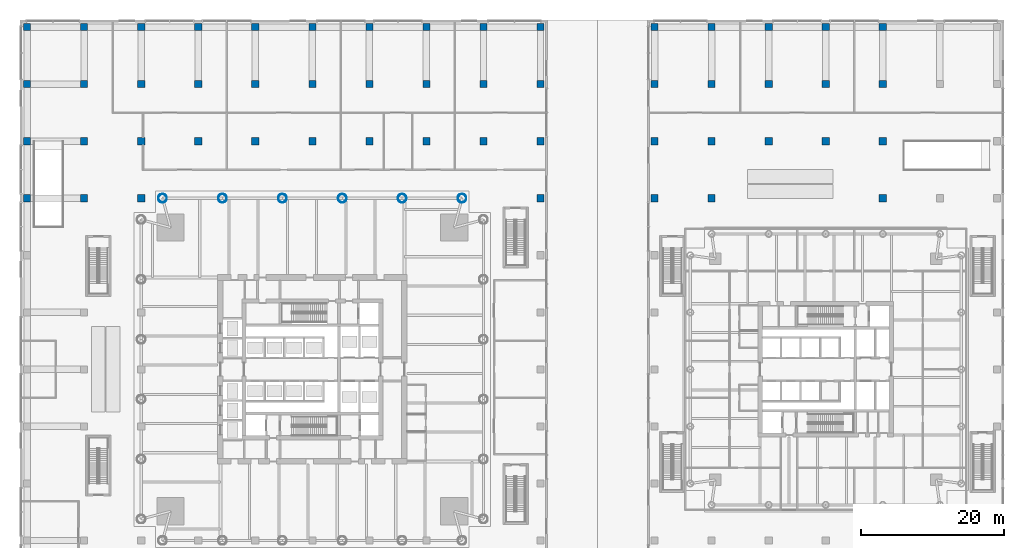
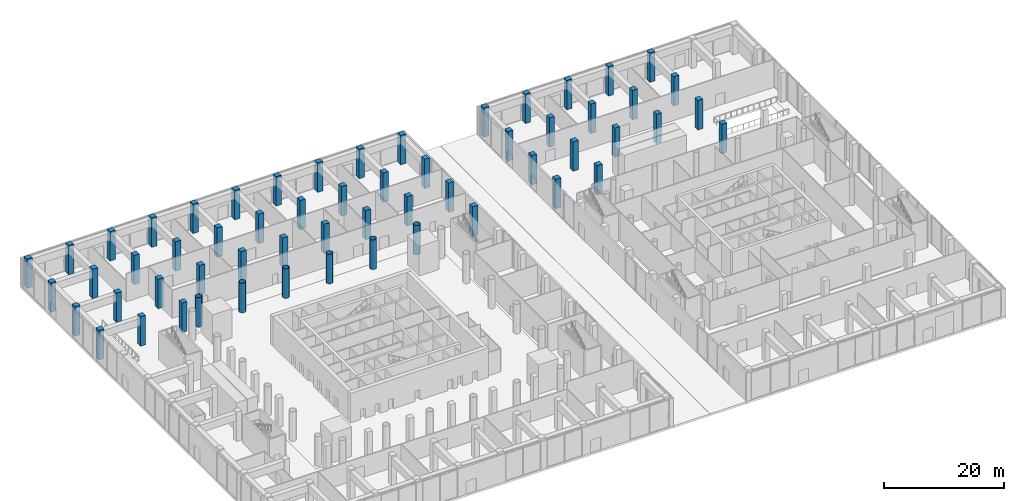
# One storey, part 3 of 39: 58 columns.
"""IFC4 building model written with IfcOpenShell, lengths in metres."""

from ifc_helpers import new_model, si_unit, direction, frame, origin, origin_2d, place, context, subcontext, project, spatial, rectangle, hollow_circle, extrude, material, material_profile, profile_set, type_object, element, save


model = new_model("IFC4")

# Units and contexts
model_context = context("Model", 3, precision=1e-05, world=origin(), true_north=direction((0.0, 1.0)))
body_context = subcontext(model_context, "Body", "Model", "MODEL_VIEW")
ifc_project = project(units=[si_unit("LENGTHUNIT", "METRE"), si_unit("AREAUNIT", "SQUARE_METRE"), si_unit("VOLUMEUNIT", "CUBIC_METRE"), si_unit("PLANEANGLEUNIT", "RADIAN"), si_unit("MASSUNIT", "GRAM", prefix="KILO")], contexts=[model_context])

# Site, building, storey
site_placement = place(None, origin())
site = spatial("IfcSite", under=ifc_project, at=site_placement, CompositionType="ELEMENT")
building_placement = place(site_placement, origin())
building = spatial("IfcBuilding", under=site, at=building_placement, Name="Ostroluk Exchange", CompositionType="ELEMENT")
storey_placement = place(building_placement, origin())
storey = spatial("IfcBuildingStorey", under=building, at=storey_placement, Name="L00", CompositionType="ELEMENT", Elevation=0.0)

# Columns
ifc_material_1 = material(Name="Steel S460", Category="steel")
ifc_material_profile_1 = material_profile(ifc_material_1, hollow_circle(Radius=0.609619140625, WallThickness=0.0400390625, at=origin_2d()), Name="CHS 1219x40")
ifc_profile_set_1 = profile_set([ifc_material_profile_1], Name="Steel S460")
column_type_1 = type_object("IfcColumnType", Name="Perimeter column CHS 1219x40", PredefinedType="COLUMN", material=ifc_profile_set_1)
for number, where, z_axis, x_axis, name in (
    (1, (66.0, 70.0, 0.0), (0.0, 0.0, 1.0), (1.0, 0.0, 0.0), "T1 north face column E0"),
    (2, (24.0, 70.0, 0.0), (0.0, 0.0, 1.0), (1.0, 0.0, 0.0), "T1 north face column E1"),
    (3, (57.60009765625, 70.0, 0.0), (0.0, 0.0, 1.0), (1.0, 0.0, 0.0), "T1 north face column I1"),
    (4, (49.199951171875, 70.0, 0.0), (0.0, 0.0, 1.0), (1.0, 0.0, 0.0), "T1 north face column I2"),
    (5, (40.800048828125, 70.0, 0.0), (0.0, 0.0, 1.0), (1.0, 0.0, 0.0), "T1 north face column I3"),
    (6, (32.39990234375, 70.0, 0.0), (0.0, 0.0, 1.0), (1.0, 0.0, 0.0), "T1 north face column I4"),
):
    element("IfcColumn", number, at=place(storey_placement, frame(where, z_axis=z_axis, x_axis=x_axis)), inside=storey, type_object=column_type_1, Name=name, PredefinedType="COLUMN", context=body_context, shape_type="SweptSolid", body=[
        extrude(hollow_circle(Radius=0.609619140625, WallThickness=0.0400390625, at=origin_2d()), origin(), (0.0, 0.0, 1.0), 6.0),
    ])
ifc_material_2 = material(Name="Concrete C50/60", Category="concrete")
ifc_material_profile_2 = material_profile(ifc_material_2, rectangle(XDim=1.0, YDim=1.0, at=origin_2d()), Name="RC 1000x1000")
ifc_profile_set_2 = profile_set([ifc_material_profile_2], Name="Concrete C50/60")
column_type_2 = type_object("IfcColumnType", Name="Podium column RC 1000x1000", PredefinedType="COLUMN", material=ifc_profile_set_2)
for number, where, z_axis, x_axis, name in (
    (7, (5.0, 70.0, 0.0), (0.0, 0.0, 1.0), (1.0, 0.0, 0.0), "Podium column 5/70"),
    (8, (5.0, 78.0, 0.0), (0.0, 0.0, 1.0), (1.0, 0.0, 0.0), "Podium column 5/78"),
    (9, (5.0, 86.0, 0.0), (0.0, 0.0, 1.0), (1.0, 0.0, 0.0), "Podium column 5/86"),
    (10, (5.0, 94.0, 0.0), (0.0, 0.0, 1.0), (1.0, 0.0, 0.0), "Podium column 5/94"),
    (11, (13.0, 70.0, 0.0), (0.0, 0.0, 1.0), (1.0, 0.0, 0.0), "Podium column 13/70"),
    (12, (13.0, 78.0, 0.0), (0.0, 0.0, 1.0), (1.0, 0.0, 0.0), "Podium column 13/78"),
    (13, (13.0, 86.0, 0.0), (0.0, 0.0, 1.0), (1.0, 0.0, 0.0), "Podium column 13/86"),
    (14, (13.0, 94.0, 0.0), (0.0, 0.0, 1.0), (1.0, 0.0, 0.0), "Podium column 13/94"),
    (15, (21.0, 78.0, 0.0), (0.0, 0.0, 1.0), (1.0, 0.0, 0.0), "Podium column 21/78"),
    (16, (21.0, 86.0, 0.0), (0.0, 0.0, 1.0), (1.0, 0.0, 0.0), "Podium column 21/86"),
    (17, (21.0, 94.0, 0.0), (0.0, 0.0, 1.0), (1.0, 0.0, 0.0), "Podium column 21/94"),
    (18, (29.0, 78.0, 0.0), (0.0, 0.0, 1.0), (1.0, 0.0, 0.0), "Podium column 29/78"),
    (19, (29.0, 86.0, 0.0), (0.0, 0.0, 1.0), (1.0, 0.0, 0.0), "Podium column 29/86"),
    (20, (29.0, 94.0, 0.0), (0.0, 0.0, 1.0), (1.0, 0.0, 0.0), "Podium column 29/94"),
    (21, (37.0, 78.0, 0.0), (0.0, 0.0, 1.0), (1.0, 0.0, 0.0), "Podium column 37/78"),
    (22, (37.0, 86.0, 0.0), (0.0, 0.0, 1.0), (1.0, 0.0, 0.0), "Podium column 37/86"),
    (23, (37.0, 94.0, 0.0), (0.0, 0.0, 1.0), (1.0, 0.0, 0.0), "Podium column 37/94"),
    (24, (45.0, 78.0, 0.0), (0.0, 0.0, 1.0), (1.0, 0.0, 0.0), "Podium column 45/78"),
    (25, (45.0, 86.0, 0.0), (0.0, 0.0, 1.0), (1.0, 0.0, 0.0), "Podium column 45/86"),
    (26, (45.0, 94.0, 0.0), (0.0, 0.0, 1.0), (1.0, 0.0, 0.0), "Podium column 45/94"),
    (27, (53.0, 78.0, 0.0), (0.0, 0.0, 1.0), (1.0, 0.0, 0.0), "Podium column 53/78"),
    (28, (53.0, 86.0, 0.0), (0.0, 0.0, 1.0), (1.0, 0.0, 0.0), "Podium column 53/86"),
    (29, (53.0, 94.0, 0.0), (0.0, 0.0, 1.0), (1.0, 0.0, 0.0), "Podium column 53/94"),
    (30, (61.0, 78.0, 0.0), (0.0, 0.0, 1.0), (1.0, 0.0, 0.0), "Podium column 61/78"),
    (31, (61.0, 86.0, 0.0), (0.0, 0.0, 1.0), (1.0, 0.0, 0.0), "Podium column 61/86"),
    (32, (61.0, 94.0, 0.0), (0.0, 0.0, 1.0), (1.0, 0.0, 0.0), "Podium column 61/94"),
    (33, (69.0, 78.0, 0.0), (0.0, 0.0, 1.0), (1.0, 0.0, 0.0), "Podium column 69/78"),
    (34, (69.0, 86.0, 0.0), (0.0, 0.0, 1.0), (1.0, 0.0, 0.0), "Podium column 69/86"),
    (35, (69.0, 94.0, 0.0), (0.0, 0.0, 1.0), (1.0, 0.0, 0.0), "Podium column 69/94"),
    (36, (77.0, 70.0, 0.0), (0.0, 0.0, 1.0), (1.0, 0.0, 0.0), "Podium column 77/70"),
    (37, (77.0, 78.0, 0.0), (0.0, 0.0, 1.0), (1.0, 0.0, 0.0), "Podium column 77/78"),
    (38, (77.0, 86.0, 0.0), (0.0, 0.0, 1.0), (1.0, 0.0, 0.0), "Podium column 77/86"),
    (39, (77.0, 94.0, 0.0), (0.0, 0.0, 1.0), (1.0, 0.0, 0.0), "Podium column 77/94"),
    (40, (93.0, 70.0, 0.0), (0.0, 0.0, 1.0), (1.0, 0.0, 0.0), "Podium column 93/70"),
    (41, (93.0, 78.0, 0.0), (0.0, 0.0, 1.0), (1.0, 0.0, 0.0), "Podium column 93/78"),
    (42, (93.0, 86.0, 0.0), (0.0, 0.0, 1.0), (1.0, 0.0, 0.0), "Podium column 93/86"),
    (43, (93.0, 94.0, 0.0), (0.0, 0.0, 1.0), (1.0, 0.0, 0.0), "Podium column 93/94"),
    (44, (101.0, 70.0, 0.0), (0.0, 0.0, 1.0), (1.0, 0.0, 0.0), "Podium column 101/70"),
    (45, (101.0, 78.0, 0.0), (0.0, 0.0, 1.0), (1.0, 0.0, 0.0), "Podium column 101/78"),
    (46, (101.0, 86.0, 0.0), (0.0, 0.0, 1.0), (1.0, 0.0, 0.0), "Podium column 101/86"),
    (47, (101.0, 94.0, 0.0), (0.0, 0.0, 1.0), (1.0, 0.0, 0.0), "Podium column 101/94"),
    (48, (109.0, 78.0, 0.0), (0.0, 0.0, 1.0), (1.0, 0.0, 0.0), "Podium column 109/78"),
    (49, (109.0, 86.0, 0.0), (0.0, 0.0, 1.0), (1.0, 0.0, 0.0), "Podium column 109/86"),
    (50, (109.0, 94.0, 0.0), (0.0, 0.0, 1.0), (1.0, 0.0, 0.0), "Podium column 109/94"),
    (51, (117.0, 78.0, 0.0), (0.0, 0.0, 1.0), (1.0, 0.0, 0.0), "Podium column 117/78"),
    (52, (117.0, 86.0, 0.0), (0.0, 0.0, 1.0), (1.0, 0.0, 0.0), "Podium column 117/86"),
    (53, (117.0, 94.0, 0.0), (0.0, 0.0, 1.0), (1.0, 0.0, 0.0), "Podium column 117/94"),
    (54, (125.0, 70.0, 0.0), (0.0, 0.0, 1.0), (1.0, 0.0, 0.0), "Podium column 125/70"),
    (55, (125.0, 78.0, 0.0), (0.0, 0.0, 1.0), (1.0, 0.0, 0.0), "Podium column 125/78"),
    (56, (125.0, 86.0, 0.0), (0.0, 0.0, 1.0), (1.0, 0.0, 0.0), "Podium column 125/86"),
    (57, (125.0, 94.0, 0.0), (0.0, 0.0, 1.0), (1.0, 0.0, 0.0), "Podium column 125/94"),
    (58, (21.0, 70.0, 0.0), (0.0, 0.0, 1.0), (1.0, 0.0, 0.0), "Podium column 21/70"),
):
    element("IfcColumn", number, at=place(storey_placement, frame(where, z_axis=z_axis, x_axis=x_axis)), inside=storey, type_object=column_type_2, Name=name, PredefinedType="COLUMN", context=body_context, shape_type="SweptSolid", body=[
        extrude(rectangle(XDim=1.0, YDim=1.0, at=origin_2d()), origin(), (0.0, 0.0, 1.0), 6.0),
    ])

save(model, "model.ifc")
